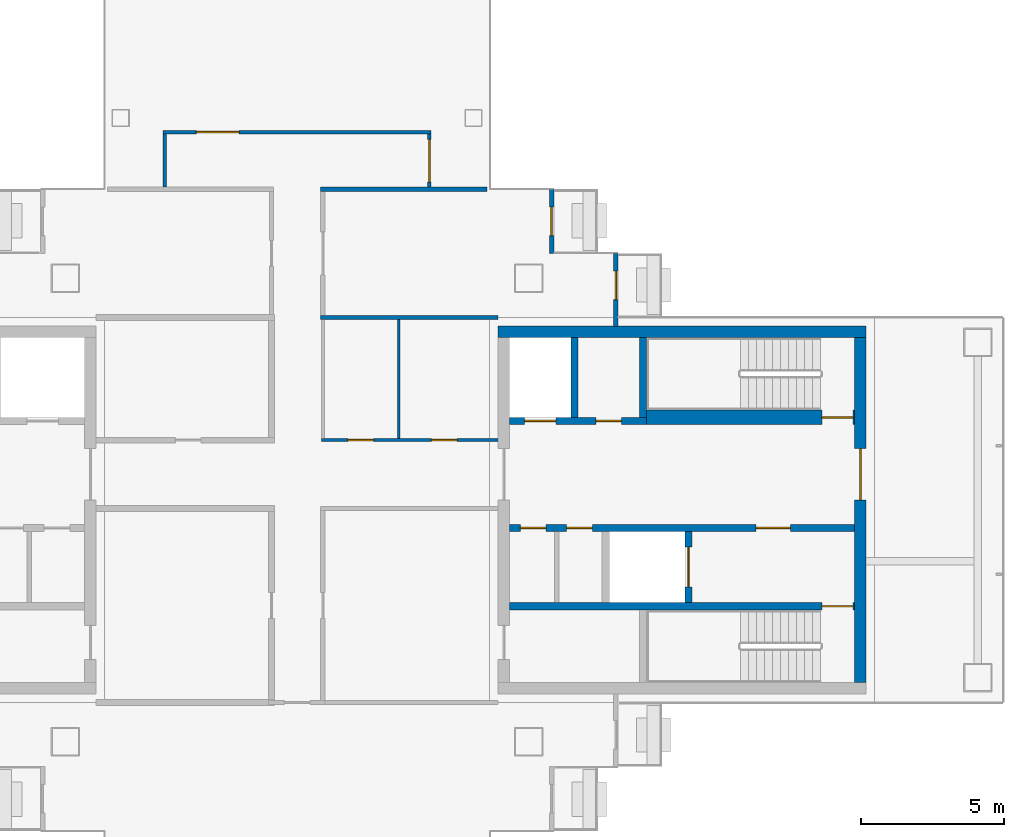
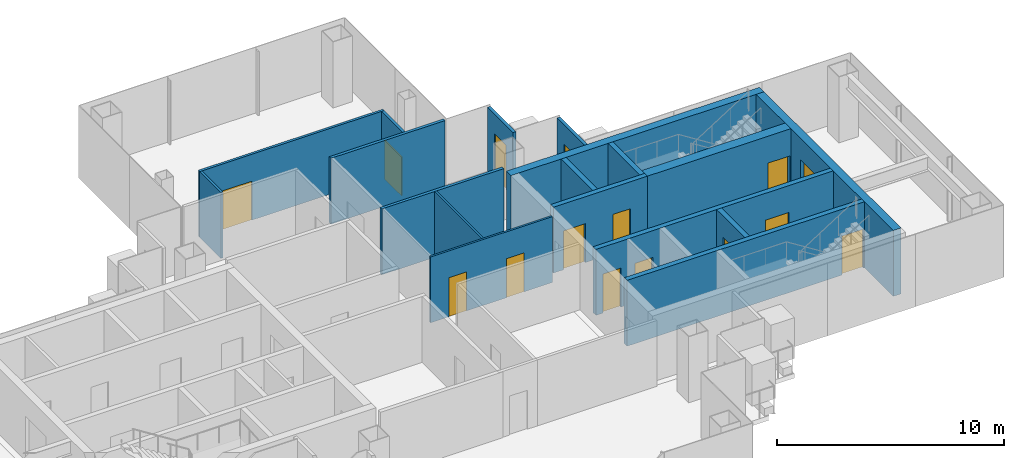
# One storey, part 12 of 17: 18 walls, 15 doors, 15 openings.
"""IFC4 building model written with IfcOpenShell, lengths in metres."""

from ifc_helpers import new_model, si_unit, direction, frame, frame_2d, origin, place, context, subcontext, project, spatial, rectangle, extrude, material, layer, layer_set, type_object, element, fill, save


model = new_model("IFC4")

# Units and contexts
model_context = context("Model", 3, precision=1e-05, world=origin(), true_north=direction((0.0, 1.0)))
body_context = subcontext(model_context, "Body", "Model", "MODEL_VIEW")
ifc_project = project(units=[si_unit("LENGTHUNIT", "METRE"), si_unit("AREAUNIT", "SQUARE_METRE"), si_unit("VOLUMEUNIT", "CUBIC_METRE"), si_unit("PLANEANGLEUNIT", "RADIAN"), si_unit("MASSUNIT", "GRAM", prefix="KILO")], contexts=[model_context])

# Site, building, storey
site_placement = place(None, origin())
site = spatial("IfcSite", under=ifc_project, at=site_placement, CompositionType="ELEMENT")
building_placement = place(site_placement, origin())
building = spatial("IfcBuilding", under=site, at=building_placement, Name="Shamsa Quay Exchange Towers", CompositionType="ELEMENT")
storey_placement = place(building_placement, frame((0.0, 0.0, 198.300048828125)))
storey = spatial("IfcBuildingStorey", under=building, at=storey_placement, Name="L47", CompositionType="ELEMENT", Elevation=198.300048828125)

# Wall, opening, door
ifc_material_1 = material(Name="Aluminium EN AW-6063 T6, black anodised, with black enamelled glass infill", Category="aluminium")
ifc_layer_1 = layer(ifc_material_1, 0.14990234375)
ifc_layer_set_1 = layer_set([ifc_layer_1], Name="BALCONY DOOR BAY WALL 150")
wall_type_1 = type_object("IfcWallType", Name="BALCONY DOOR BAY WALL 150", PredefinedType="SOLIDWALL", material=ifc_layer_set_1)
wall_1_placement = place(storey_placement, frame((42.675048828125, 11.25, 0.0), z_axis=(0.0, 0.0, 1.0), x_axis=(0.0, -1.0, 0.0)))
wall_1 = element("IfcWall", 1, at=wall_1_placement, inside=storey, type_object=wall_type_1, Name="Door bay T2-PKES L47", PredefinedType="SOLIDWALL", context=body_context, shape_type="SweptSolid", body=[
    extrude(rectangle(XDim=2.25, YDim=0.14990234375, at=frame_2d((1.125, 0.0))), origin(), (0.0, 0.0, 1.0), 3.449951171875),
])
opening_1_placement = place(wall_1_placement, frame((0.625, 0.0, 0.0)))
opening_1 = element("IfcOpeningElement", 2, at=opening_1_placement, cuts=wall_1, Name="Opening XD307", PredefinedType="OPENING", context=body_context, shape_type="SweptSolid", body=[
    extrude(rectangle(XDim=1.0, YDim=2.39990234375, at=frame_2d((0.5, 1.199951171875))), frame((0.0, 0.0849609375, 0.0), z_axis=(0.0, -1.0, 0.0), x_axis=(1.0, 0.0, 0.0)), (0.0, 0.0, 1.0), 0.169921875),
])
ifc_material_2 = material(Name="Aluminium EN AW-6063 T6, black anodised, with laminated glass leaf", Category="aluminium")
door_type_1 = type_object("IfcDoorType", Name="BALCONY DOOR 1000x2400", OperationType="SINGLE_SWING_LEFT", PredefinedType="DOOR", material=ifc_material_2)
door_1_placement = place(opening_1_placement, origin())
door_1 = element("IfcDoor", 3, at=door_1_placement, inside=storey, type_object=door_type_1, Name="Balcony door T2-PKES L47", OperationType="SINGLE_SWING_RIGHT", OverallHeight=2.39990234375, OverallWidth=1.0, PredefinedType="DOOR", context=body_context, shape_type="SweptSolid", body=[
    extrude(rectangle(XDim=1.0, YDim=2.39990234375, at=frame_2d((0.5, 1.199951171875))), frame((0.0, 0.02490234375, 0.0), z_axis=(0.0, -1.0, 0.0), x_axis=(1.0, 0.0, 0.0)), (0.0, 0.0, 1.0), 0.050048828125),
])
fill(opening_1, door_1)

wall_2_placement = place(storey_placement, frame((44.925048828125, 9.0, 0.0), z_axis=(0.0, 0.0, 1.0), x_axis=(0.0, -1.0, 0.0)))
wall_2 = element("IfcWall", 4, at=wall_2_placement, inside=storey, type_object=wall_type_1, Name="Door bay T2-PKES L47", PredefinedType="SOLIDWALL", context=body_context, shape_type="SweptSolid", body=[
    extrude(rectangle(XDim=2.556884765625, YDim=0.14990234375, at=frame_2d((1.2783203125, 0.0))), origin(), (0.0, 0.0, 1.0), 3.449951171875),
])
opening_2_placement = place(wall_2_placement, frame((0.625, 0.0, 0.0)))
opening_2 = element("IfcOpeningElement", 5, at=opening_2_placement, cuts=wall_2, Name="Opening XD308", PredefinedType="OPENING", context=body_context, shape_type="SweptSolid", body=[
    extrude(rectangle(XDim=1.0, YDim=2.39990234375, at=frame_2d((0.5, 1.199951171875))), frame((0.0, 0.0849609375, 0.0), z_axis=(0.0, -1.0, 0.0), x_axis=(1.0, 0.0, 0.0)), (0.0, 0.0, 1.0), 0.169921875),
])
door_2_placement = place(opening_2_placement, origin())
door_2 = element("IfcDoor", 6, at=door_2_placement, inside=storey, type_object=door_type_1, Name="Balcony door T2-PKES L47", OperationType="SINGLE_SWING_LEFT", OverallHeight=2.39990234375, OverallWidth=1.0, PredefinedType="DOOR", context=body_context, shape_type="SweptSolid", body=[
    extrude(rectangle(XDim=1.0, YDim=2.39990234375, at=frame_2d((0.5, 1.199951171875))), frame((0.0, 0.02490234375, 0.0), z_axis=(0.0, -1.0, 0.0), x_axis=(1.0, 0.0, 0.0)), (0.0, 0.0, 1.0), 0.050048828125),
])
fill(opening_2, door_2)

# Wall
ifc_material_3 = material(Name="Concrete C60/75", Category="concrete")
ifc_layer_2 = layer(ifc_material_3, 0.39990234375)
ifc_layer_set_2 = layer_set([ifc_layer_2], Name="CORE WALL 400 C60/75")
wall_type_2 = type_object("IfcWallType", Name="CORE WALL 400 C60/75", PredefinedType="SHEAR", material=ifc_layer_set_2)
wall_3_placement = place(storey_placement, frame((53.699951171875, 6.25, 0.0), z_axis=(0.0, 0.0, 1.0), x_axis=(-1.0, 0.0, 0.0)))
element("IfcWall", 7, at=wall_3_placement, inside=storey, type_object=wall_type_2, Name="Core wall T2B-R21-PN", PredefinedType="SHEAR", context=body_context, shape_type="SweptSolid", body=[
    extrude(rectangle(XDim=12.89990234375, YDim=0.39990234375, at=frame_2d((6.449951171875, 0.0))), origin(), (0.0, 0.0, 1.0), 3.550048828125),
])

# Wall, opening, door
wall_4_placement = place(storey_placement, frame((53.5, -6.050048828125, 0.0), z_axis=(0.0, 0.0, 1.0), x_axis=(0.0, 1.0, 0.0)))
wall_4 = element("IfcWall", 8, at=wall_4_placement, inside=storey, type_object=wall_type_2, Name="Core wall T2B-R21-PF", PredefinedType="SHEAR", context=body_context, shape_type="SweptSolid", body=[
    extrude(rectangle(XDim=12.10009765625, YDim=0.39990234375, at=frame_2d((6.050048828125, 0.0))), origin(), (0.0, 0.0, 1.0), 3.550048828125),
])
opening_3_placement = place(wall_4_placement, frame((6.39990234375, 0.0, 0.0)))
opening_3 = element("IfcOpeningElement", 9, at=opening_3_placement, cuts=wall_4, Name="Opening T2B-R21-LBD01", PredefinedType="OPENING", context=body_context, shape_type="SweptSolid", body=[
    extrude(rectangle(XDim=1.800048828125, YDim=2.39990234375, at=frame_2d((0.89990234375, 1.199951171875))), frame((0.0, 0.2099609375, 0.0), z_axis=(0.0, -1.0, 0.0), x_axis=(1.0, 0.0, 0.0)), (0.0, 0.0, 1.0), 0.419921875),
])
ifc_material_4 = material(Name="Steel, fire rated", Category="steel")
door_type_2 = type_object("IfcDoorType", Name="LIFT LOBBY DOOR PAIR 1800", OperationType="DOUBLE_DOOR_SINGLE_SWING", PredefinedType="DOOR", material=ifc_material_4)
door_3_placement = place(opening_3_placement, origin())
door_3 = element("IfcDoor", 10, at=door_3_placement, inside=storey, type_object=door_type_2, Name="T2B-R21-LBD01", OperationType="DOUBLE_DOOR_SINGLE_SWING", OverallHeight=2.39990234375, OverallWidth=1.800048828125, PredefinedType="DOOR", context=body_context, shape_type="SweptSolid", body=[
    extrude(rectangle(XDim=1.800048828125, YDim=2.39990234375, at=frame_2d((0.89990234375, 1.199951171875))), frame((0.0, 0.02490234375, 0.0), z_axis=(0.0, -1.0, 0.0), x_axis=(1.0, 0.0, 0.0)), (0.0, 0.0, 1.0), 0.050048828125),
])
fill(opening_3, door_3)

ifc_material_5 = material(Name="Laminated fire-resisting glass in a metal frame", Category="glass")
ifc_layer_3 = layer(ifc_material_5, 0.125)
ifc_layer_set_3 = layer_set([ifc_layer_3], Name="Glazed partition 125 mm EI 60")
wall_type_3 = type_object("IfcWallType", Name="Glazed partition 125 mm EI 60", PredefinedType="PARTITIONING", material=ifc_layer_set_3)
wall_5_placement = place(storey_placement, frame((38.3876953125, 11.324951171875, 0.0), z_axis=(0.0, 0.0, 1.0), x_axis=(0.0, 1.0, 0.0)))
wall_5 = element("IfcWall", 11, at=wall_5_placement, inside=storey, type_object=wall_type_3, Name="Partition T2-R21-W13", PredefinedType="PARTITIONING", context=body_context, shape_type="SweptSolid", body=[
    extrude(rectangle(XDim=1.862548828125, YDim=0.125, at=frame_2d((0.93115234375, 0.0))), origin(), (0.0, 0.0, 1.0), 3.550048828125),
])
opening_4_placement = place(wall_5_placement, frame((0.175048828125, 0.0, 0.0)))
opening_4 = element("IfcOpeningElement", 12, at=opening_4_placement, cuts=wall_5, Name="Opening T2-R21-D03", PredefinedType="OPENING", context=body_context, shape_type="SweptSolid", body=[
    extrude(rectangle(XDim=1.5, YDim=2.10009765625, at=frame_2d((0.75, 1.050048828125))), frame((0.0, 0.072509765625, 0.0), z_axis=(0.0, -1.0, 0.0), x_axis=(1.0, 0.0, 0.0)), (0.0, 0.0, 1.0), 0.14501953125),
])
ifc_material_6 = material(Name="Timber door leaf in a metal frame", Category="wood")
door_type_3 = type_object("IfcDoorType", Name="Door 1500x2100 FD30S pair", OperationType="NOTDEFINED", PredefinedType="DOOR", material=ifc_material_6)
door_4_placement = place(opening_4_placement, origin())
door_4 = element("IfcDoor", 13, at=door_4_placement, inside=storey, type_object=door_type_3, Name="Door T2-R21-D03", OperationType="DOUBLE_DOOR_SINGLE_SWING", OverallHeight=2.10009765625, OverallWidth=1.5, PredefinedType="DOOR", context=body_context, shape_type="SweptSolid", body=[
    extrude(rectangle(XDim=1.5, YDim=2.10009765625, at=frame_2d((0.75, 1.050048828125))), frame((0.0, 0.02490234375, 0.0), z_axis=(0.0, -1.0, 0.0), x_axis=(1.0, 0.0, 0.0)), (0.0, 0.0, 1.0), 0.050048828125),
])
fill(opening_4, door_4)

wall_6_placement = place(storey_placement, frame((38.4501953125, 13.25, 0.0), z_axis=(0.0, 0.0, 1.0), x_axis=(-1.0, 0.0, 0.0)))
wall_6 = element("IfcWall", 14, at=wall_6_placement, inside=storey, type_object=wall_type_3, Name="Partition T2-R21-W14", PredefinedType="PARTITIONING", context=body_context, shape_type="SweptSolid", body=[
    extrude(rectangle(XDim=9.400390625, YDim=0.125, at=frame_2d((4.7001953125, 0.0))), origin(), (0.0, 0.0, 1.0), 3.550048828125),
])
opening_5_placement = place(wall_6_placement, frame((6.73291015625, 0.0, 0.0)))
opening_5 = element("IfcOpeningElement", 15, at=opening_5_placement, cuts=wall_6, Name="Opening T2-R21-D10", PredefinedType="OPENING", context=body_context, shape_type="SweptSolid", body=[
    extrude(rectangle(XDim=1.5, YDim=2.10009765625, at=frame_2d((0.75, 1.050048828125))), frame((0.0, 0.072509765625, 0.0), z_axis=(0.0, -1.0, 0.0), x_axis=(1.0, 0.0, 0.0)), (0.0, 0.0, 1.0), 0.14501953125),
])
door_5_placement = place(opening_5_placement, origin())
door_5 = element("IfcDoor", 16, at=door_5_placement, inside=storey, type_object=door_type_3, Name="Door T2-R21-D10", OperationType="DOUBLE_DOOR_SINGLE_SWING", OverallHeight=2.10009765625, OverallWidth=1.5, PredefinedType="DOOR", context=body_context, shape_type="SweptSolid", body=[
    extrude(rectangle(XDim=1.5, YDim=2.10009765625, at=frame_2d((0.75, 1.050048828125))), frame((0.0, 0.02490234375, 0.0), z_axis=(0.0, -1.0, 0.0), x_axis=(1.0, 0.0, 0.0)), (0.0, 0.0, 1.0), 0.050048828125),
])
fill(opening_5, door_5)

# Wall
wall_7_placement = place(storey_placement, frame((29.1123046875, 13.1875, 0.0), z_axis=(0.0, 0.0, 1.0), x_axis=(0.0, -1.0, 0.0)))
element("IfcWall", 17, at=wall_7_placement, inside=storey, type_object=wall_type_3, Name="Partition T2-R21-W15", PredefinedType="PARTITIONING", context=body_context, shape_type="SweptSolid", body=[
    extrude(rectangle(XDim=1.862548828125, YDim=0.125, at=frame_2d((0.93115234375, 0.0))), origin(), (0.0, 0.0, 1.0), 3.550048828125),
])

# Wall, openings, doors
ifc_material_7 = material(Name="Gypsum board partition on metal studs")
ifc_layer_4 = layer(ifc_material_7, 0.10009765625)
ifc_layer_set_4 = layer_set([ifc_layer_4], Name="Partition 100 mm NOT RATED")
wall_type_4 = type_object("IfcWallType", Name="Partition 100 mm NOT RATED", PredefinedType="PARTITIONING", material=ifc_layer_set_4)
wall_8_placement = place(storey_placement, frame((34.600341796875, 2.4501953125, 0.0)))
wall_8 = element("IfcWall", 18, at=wall_8_placement, inside=storey, type_object=wall_type_4, Name="Partition T2-R21-W05", PredefinedType="PARTITIONING", context=body_context, shape_type="SweptSolid", body=[
    extrude(rectangle(XDim=6.19970703125, YDim=0.10009765625, at=frame_2d((3.099853515625, 0.0))), origin(), (0.0, 0.0, 1.0), 3.550048828125),
])
opening_6_placement = place(wall_8_placement, frame((3.85595703125, 0.0, 0.0)))
opening_6 = element("IfcOpeningElement", 19, at=opening_6_placement, cuts=wall_8, Name="Opening T2-R21-D01", PredefinedType="OPENING", context=body_context, shape_type="SweptSolid", body=[
    extrude(rectangle(XDim=0.89990234375, YDim=2.10009765625, at=frame_2d((0.449951171875, 1.050048828125))), frame((0.0, 0.06005859375, 0.0), z_axis=(0.0, -1.0, 0.0), x_axis=(1.0, 0.0, 0.0)), (0.0, 0.0, 1.0), 0.1201171875),
])
opening_7_placement = place(wall_8_placement, frame((0.93115234375, 0.0, 0.0)))
opening_7 = element("IfcOpeningElement", 20, at=opening_7_placement, cuts=wall_8, Name="Opening T2-R21-D02", PredefinedType="OPENING", context=body_context, shape_type="SweptSolid", body=[
    extrude(rectangle(XDim=0.89990234375, YDim=2.10009765625, at=frame_2d((0.449951171875, 1.050048828125))), frame((0.0, 0.06005859375, 0.0), z_axis=(0.0, -1.0, 0.0), x_axis=(1.0, 0.0, 0.0)), (0.0, 0.0, 1.0), 0.1201171875),
])
door_type_4 = type_object("IfcDoorType", Name="Door 900x2100 NOT RATED", OperationType="NOTDEFINED", PredefinedType="DOOR", material=ifc_material_6)
door_6_placement = place(opening_6_placement, origin())
door_6 = element("IfcDoor", 21, at=door_6_placement, inside=storey, type_object=door_type_4, Name="Door T2-R21-D01", OperationType="SINGLE_SWING_LEFT", OverallHeight=2.10009765625, OverallWidth=0.89990234375, PredefinedType="DOOR", context=body_context, shape_type="SweptSolid", body=[
    extrude(rectangle(XDim=0.89990234375, YDim=2.10009765625, at=frame_2d((0.449951171875, 1.050048828125))), frame((0.0, 0.02490234375, 0.0), z_axis=(0.0, -1.0, 0.0), x_axis=(1.0, 0.0, 0.0)), (0.0, 0.0, 1.0), 0.050048828125),
])
fill(opening_6, door_6)
door_7_placement = place(opening_7_placement, origin())
door_7 = element("IfcDoor", 22, at=door_7_placement, inside=storey, type_object=door_type_4, Name="Door T2-R21-D02", OperationType="SINGLE_SWING_RIGHT", OverallHeight=2.10009765625, OverallWidth=0.89990234375, PredefinedType="DOOR", context=body_context, shape_type="SweptSolid", body=[
    extrude(rectangle(XDim=0.89990234375, YDim=2.10009765625, at=frame_2d((0.449951171875, 1.050048828125))), frame((0.0, 0.02490234375, 0.0), z_axis=(0.0, -1.0, 0.0), x_axis=(1.0, 0.0, 0.0)), (0.0, 0.0, 1.0), 0.050048828125),
])
fill(opening_7, door_7)

# Walls
wall_9_placement = place(storey_placement, frame((37.3125, 6.675048828125, 0.0), z_axis=(0.0, 0.0, 1.0), x_axis=(0.0, -1.0, 0.0)))
element("IfcWall", 23, at=wall_9_placement, inside=storey, type_object=wall_type_4, Name="Partition T2-R21-W19", PredefinedType="PARTITIONING", context=body_context, shape_type="SweptSolid", body=[
    extrude(rectangle(XDim=4.1748046875, YDim=0.10009765625, at=frame_2d((2.08740234375, 0.0))), origin(), (0.0, 0.0, 1.0), 3.550048828125),
])
ifc_layer_5 = layer(ifc_material_7, 0.14990234375)
ifc_layer_set_5 = layer_set([ifc_layer_5], Name="Partition 150 mm EI 60")
wall_type_5 = type_object("IfcWallType", Name="Partition 150 mm EI 60", PredefinedType="PARTITIONING", material=ifc_layer_set_5)
wall_10_placement = place(storey_placement, frame((40.405029296875, 11.25, 0.0), z_axis=(0.0, 0.0, 1.0), x_axis=(-1.0, 0.0, 0.0)))
element("IfcWall", 24, at=wall_10_placement, inside=storey, type_object=wall_type_5, Name="Partition T2-R21-W11", PredefinedType="PARTITIONING", context=body_context, shape_type="SweptSolid", body=[
    extrude(rectangle(XDim=5.82958984375, YDim=0.14990234375, at=frame_2d((2.914794921875, 0.0))), origin(), (0.0, 0.0, 1.0), 3.550048828125),
])
wall_11_placement = place(storey_placement, frame((40.800048828125, 6.75, 0.0), z_axis=(0.0, 0.0, 1.0), x_axis=(-1.0, 0.0, 0.0)))
element("IfcWall", 25, at=wall_11_placement, inside=storey, type_object=wall_type_5, Name="Partition T2-R21-W20", PredefinedType="PARTITIONING", context=body_context, shape_type="SweptSolid", body=[
    extrude(rectangle(XDim=6.224609375, YDim=0.14990234375, at=frame_2d((3.1123046875, 0.0))), origin(), (0.0, 0.0, 1.0), 3.550048828125),
])

# Wall, opening, door
ifc_material_8 = material(Name="Concrete C50/60", Category="concrete")
ifc_layer_6 = layer(ifc_material_8, 0.25)
ifc_layer_set_6 = layer_set([ifc_layer_6], Name="SHAFT WALL 250 C50/60")
wall_type_6 = type_object("IfcWallType", Name="SHAFT WALL 250 C50/60", PredefinedType="SHEAR", material=ifc_layer_set_6)
wall_12_placement = place(storey_placement, frame((53.300048828125, -3.375, 0.0), z_axis=(0.0, 0.0, 1.0), x_axis=(-1.0, 0.0, 0.0)))
wall_12 = element("IfcWall", 26, at=wall_12_placement, inside=storey, type_object=wall_type_6, Name="Shaft wall T2B-R21-STL", PredefinedType="SHEAR", context=body_context, shape_type="SweptSolid", body=[
    extrude(rectangle(XDim=12.10009765625, YDim=0.25, at=frame_2d((6.050048828125, 0.0))), origin(), (0.0, 0.0, 1.0), 3.550048828125),
])
opening_8_placement = place(wall_12_placement, frame((0.050048828125, 0.0, 0.0)))
opening_8 = element("IfcOpeningElement", 27, at=opening_8_placement, cuts=wall_12, Name="Opening T2B-R21-SD04", PredefinedType="OPENING", context=body_context, shape_type="SweptSolid", body=[
    extrude(rectangle(XDim=1.10009765625, YDim=2.10009765625, at=frame_2d((0.550048828125, 1.050048828125))), frame((0.0, 0.135009765625, 0.0), z_axis=(0.0, -1.0, 0.0), x_axis=(1.0, 0.0, 0.0)), (0.0, 0.0, 1.0), 0.27001953125),
])
door_type_5 = type_object("IfcDoorType", Name="STAIR DOOR 1100", OperationType="SINGLE_SWING_LEFT", PredefinedType="DOOR", material=ifc_material_4)
door_8_placement = place(opening_8_placement, origin())
door_8 = element("IfcDoor", 28, at=door_8_placement, inside=storey, type_object=door_type_5, Name="T2B-R21-SD04", OperationType="SINGLE_SWING_LEFT", OverallHeight=2.10009765625, OverallWidth=1.10009765625, PredefinedType="DOOR", context=body_context, shape_type="SweptSolid", body=[
    extrude(rectangle(XDim=1.10009765625, YDim=2.10009765625, at=frame_2d((0.550048828125, 1.050048828125))), frame((0.0, 0.02490234375, 0.0), z_axis=(0.0, -1.0, 0.0), x_axis=(1.0, 0.0, 0.0)), (0.0, 0.0, 1.0), 0.050048828125),
])
fill(opening_8, door_8)

# Wall, openings, doors
wall_13_placement = place(storey_placement, frame((53.300048828125, -0.625, 0.0), z_axis=(0.0, 0.0, 1.0), x_axis=(-1.0, 0.0, 0.0)))
wall_13 = element("IfcWall", 29, at=wall_13_placement, inside=storey, type_object=wall_type_6, Name="Shaft wall T2B-R21-B", PredefinedType="SHEAR", context=body_context, shape_type="SweptSolid", body=[
    extrude(rectangle(XDim=12.10009765625, YDim=0.25, at=frame_2d((6.050048828125, 0.0))), origin(), (0.0, 0.0, 1.0), 3.550048828125),
])
opening_9_placement = place(wall_13_placement, frame((2.25, 0.0, 0.0)))
opening_9 = element("IfcOpeningElement", 30, at=opening_9_placement, cuts=wall_13, Name="Opening T2B-R21-FD05", PredefinedType="OPENING", context=body_context, shape_type="SweptSolid", body=[
    extrude(rectangle(XDim=1.199951171875, YDim=2.10009765625, at=frame_2d((0.60009765625, 1.050048828125))), frame((0.0, 0.135009765625, 0.0), z_axis=(0.0, -1.0, 0.0), x_axis=(1.0, 0.0, 0.0)), (0.0, 0.0, 1.0), 0.27001953125),
])
opening_10_placement = place(wall_13_placement, frame((9.199951171875, 0.0, 0.0)))
opening_10 = element("IfcOpeningElement", 31, at=opening_10_placement, cuts=wall_13, Name="Opening T2B-R21-SV06", PredefinedType="OPENING", context=body_context, shape_type="SweptSolid", body=[
    extrude(rectangle(XDim=0.89990234375, YDim=2.10009765625, at=frame_2d((0.449951171875, 1.050048828125))), frame((0.0, 0.135009765625, 0.0), z_axis=(0.0, -1.0, 0.0), x_axis=(1.0, 0.0, 0.0)), (0.0, 0.0, 1.0), 0.27001953125),
])
opening_11_placement = place(wall_13_placement, frame((10.824951171875, 0.0, 0.0)))
opening_11 = element("IfcOpeningElement", 32, at=opening_11_placement, cuts=wall_13, Name="Opening T2B-R21-SV07", PredefinedType="OPENING", context=body_context, shape_type="SweptSolid", body=[
    extrude(rectangle(XDim=0.89990234375, YDim=2.10009765625, at=frame_2d((0.449951171875, 1.050048828125))), frame((0.0, 0.135009765625, 0.0), z_axis=(0.0, -1.0, 0.0), x_axis=(1.0, 0.0, 0.0)), (0.0, 0.0, 1.0), 0.27001953125),
])
door_type_6 = type_object("IfcDoorType", Name="FIRE SERVICE LOBBY DOOR 1200", OperationType="SINGLE_SWING_LEFT", PredefinedType="DOOR", material=ifc_material_4)
door_9_placement = place(opening_9_placement, origin())
door_9 = element("IfcDoor", 33, at=door_9_placement, inside=storey, type_object=door_type_6, Name="T2B-R21-FD05", OperationType="SINGLE_SWING_LEFT", OverallHeight=2.10009765625, OverallWidth=1.199951171875, PredefinedType="DOOR", context=body_context, shape_type="SweptSolid", body=[
    extrude(rectangle(XDim=1.199951171875, YDim=2.10009765625, at=frame_2d((0.60009765625, 1.050048828125))), frame((0.0, 0.02490234375, 0.0), z_axis=(0.0, -1.0, 0.0), x_axis=(1.0, 0.0, 0.0)), (0.0, 0.0, 1.0), 0.050048828125),
])
fill(opening_9, door_9)
door_type_7 = type_object("IfcDoorType", Name="SERVICE ROOM DOOR 900", OperationType="SINGLE_SWING_LEFT", PredefinedType="DOOR", material=ifc_material_4)
door_10_placement = place(opening_10_placement, origin())
door_10 = element("IfcDoor", 34, at=door_10_placement, inside=storey, type_object=door_type_7, Name="T2B-R21-SV06", OperationType="SINGLE_SWING_RIGHT", OverallHeight=2.10009765625, OverallWidth=0.89990234375, PredefinedType="DOOR", context=body_context, shape_type="SweptSolid", body=[
    extrude(rectangle(XDim=0.89990234375, YDim=2.10009765625, at=frame_2d((0.449951171875, 1.050048828125))), frame((0.0, 0.02490234375, 0.0), z_axis=(0.0, -1.0, 0.0), x_axis=(1.0, 0.0, 0.0)), (0.0, 0.0, 1.0), 0.050048828125),
])
fill(opening_10, door_10)
door_11_placement = place(opening_11_placement, origin())
door_11 = element("IfcDoor", 35, at=door_11_placement, inside=storey, type_object=door_type_7, Name="T2B-R21-SV07", OperationType="SINGLE_SWING_RIGHT", OverallHeight=2.10009765625, OverallWidth=0.89990234375, PredefinedType="DOOR", context=body_context, shape_type="SweptSolid", body=[
    extrude(rectangle(XDim=0.89990234375, YDim=2.10009765625, at=frame_2d((0.449951171875, 1.050048828125))), frame((0.0, 0.02490234375, 0.0), z_axis=(0.0, -1.0, 0.0), x_axis=(1.0, 0.0, 0.0)), (0.0, 0.0, 1.0), 0.050048828125),
])
fill(opening_11, door_11)

# Wall, opening, door
wall_14_placement = place(storey_placement, frame((47.47509765625, -3.25, 0.0), z_axis=(0.0, 0.0, 1.0), x_axis=(0.0, 1.0, 0.0)))
wall_14 = element("IfcWall", 36, at=wall_14_placement, inside=storey, type_object=wall_type_6, Name="Shaft wall T2B-R21-FFF", PredefinedType="SHEAR", context=body_context, shape_type="SweptSolid", body=[
    extrude(rectangle(XDim=2.5, YDim=0.25, at=frame_2d((1.25, 0.0))), origin(), (0.0, 0.0, 1.0), 3.550048828125),
])
opening_12_placement = place(wall_14_placement, frame((0.550048828125, 0.0, 0.0)))
opening_12 = element("IfcOpeningElement", 37, at=opening_12_placement, cuts=wall_14, Name="Opening T2B-R21-LDG08", PredefinedType="OPENING", context=body_context, shape_type="SweptSolid", body=[
    extrude(rectangle(XDim=1.39990234375, YDim=2.39990234375, at=frame_2d((0.699951171875, 1.199951171875))), frame((0.0, 0.135009765625, 0.0), z_axis=(0.0, -1.0, 0.0), x_axis=(1.0, 0.0, 0.0)), (0.0, 0.0, 1.0), 0.27001953125),
])
door_type_8 = type_object("IfcDoorType", Name="GOODS LIFT LANDING DOOR 1400", OperationType="SLIDING_TO_LEFT", PredefinedType="DOOR", material=ifc_material_4)
door_12_placement = place(opening_12_placement, origin())
door_12 = element("IfcDoor", 38, at=door_12_placement, inside=storey, type_object=door_type_8, Name="T2B-R21-LDG08", OperationType="SLIDING_TO_LEFT", OverallHeight=2.39990234375, OverallWidth=1.39990234375, PredefinedType="DOOR", context=body_context, shape_type="SweptSolid", body=[
    extrude(rectangle(XDim=1.39990234375, YDim=2.39990234375, at=frame_2d((0.699951171875, 1.199951171875))), frame((0.0, 0.02490234375, 0.0), z_axis=(0.0, -1.0, 0.0), x_axis=(1.0, 0.0, 0.0)), (0.0, 0.0, 1.0), 0.050048828125),
])
fill(opening_12, door_12)

# Wall, openings, doors
wall_15_placement = place(storey_placement, frame((41.199951171875, 3.125, 0.0)))
wall_15 = element("IfcWall", 39, at=wall_15_placement, inside=storey, type_object=wall_type_6, Name="Shaft wall T2B-R21-N2", PredefinedType="SHEAR", context=body_context, shape_type="SweptSolid", body=[
    extrude(rectangle(XDim=4.800048828125, YDim=0.25, at=frame_2d((2.39990234375, 0.0))), origin(), (0.0, 0.0, 1.0), 3.550048828125),
])
opening_13_placement = place(wall_15_placement, frame((0.52490234375, 0.0, 0.0)))
opening_13 = element("IfcOpeningElement", 40, at=opening_13_placement, cuts=wall_15, Name="Opening T2B-R21-LD10", PredefinedType="OPENING", context=body_context, shape_type="SweptSolid", body=[
    extrude(rectangle(XDim=1.10009765625, YDim=2.10009765625, at=frame_2d((0.550048828125, 1.050048828125))), frame((0.0, 0.135009765625, 0.0), z_axis=(0.0, -1.0, 0.0), x_axis=(1.0, 0.0, 0.0)), (0.0, 0.0, 1.0), 0.27001953125),
])
opening_14_placement = place(wall_15_placement, frame((3.02490234375, 0.0, 0.0)))
opening_14 = element("IfcOpeningElement", 41, at=opening_14_placement, cuts=wall_15, Name="Opening T2B-R21-SV11", PredefinedType="OPENING", context=body_context, shape_type="SweptSolid", body=[
    extrude(rectangle(XDim=0.89990234375, YDim=2.10009765625, at=frame_2d((0.449951171875, 1.050048828125))), frame((0.0, 0.135009765625, 0.0), z_axis=(0.0, -1.0, 0.0), x_axis=(1.0, 0.0, 0.0)), (0.0, 0.0, 1.0), 0.27001953125),
])
door_type_9 = type_object("IfcDoorType", Name="LANDING DOOR 1100", OperationType="SLIDING_TO_LEFT", PredefinedType="DOOR", material=ifc_material_4)
door_13_placement = place(opening_13_placement, origin())
door_13 = element("IfcDoor", 42, at=door_13_placement, inside=storey, type_object=door_type_9, Name="T2B-R21-LD10", OperationType="SLIDING_TO_LEFT", OverallHeight=2.10009765625, OverallWidth=1.10009765625, PredefinedType="DOOR", context=body_context, shape_type="SweptSolid", body=[
    extrude(rectangle(XDim=1.10009765625, YDim=2.10009765625, at=frame_2d((0.550048828125, 1.050048828125))), frame((0.0, 0.02490234375, 0.0), z_axis=(0.0, -1.0, 0.0), x_axis=(1.0, 0.0, 0.0)), (0.0, 0.0, 1.0), 0.050048828125),
])
fill(opening_13, door_13)
door_14_placement = place(opening_14_placement, origin())
door_14 = element("IfcDoor", 43, at=door_14_placement, inside=storey, type_object=door_type_7, Name="T2B-R21-SV11", OperationType="SINGLE_SWING_RIGHT", OverallHeight=2.10009765625, OverallWidth=0.89990234375, PredefinedType="DOOR", context=body_context, shape_type="SweptSolid", body=[
    extrude(rectangle(XDim=0.89990234375, YDim=2.10009765625, at=frame_2d((0.449951171875, 1.050048828125))), frame((0.0, 0.02490234375, 0.0), z_axis=(0.0, -1.0, 0.0), x_axis=(1.0, 0.0, 0.0)), (0.0, 0.0, 1.0), 0.050048828125),
])
fill(opening_14, door_14)

# Walls
for number, where, z_axis, x_axis, name in (
    (44, (45.875, 3.25, 0.0), (0.0, 0.0, 1.0), (0.0, 1.0, 0.0), "Shaft wall T2B-R21-STF2"),
    (45, (43.47509765625, 3.25, 0.0), (0.0, 0.0, 1.0), (0.0, 1.0, 0.0), "Shaft wall T2B-R21-D0"),
):
    element("IfcWall", number, at=place(storey_placement, frame(where, z_axis=z_axis, x_axis=x_axis)), inside=storey, type_object=wall_type_6, Name=name, PredefinedType="SHEAR", context=body_context, shape_type="SweptSolid", body=[
        extrude(rectangle(XDim=2.800048828125, YDim=0.25, at=frame_2d((1.39990234375, 0.0))), origin(), (0.0, 0.0, 1.0), 3.550048828125),
    ])

# Wall, opening, door
ifc_layer_7 = layer(ifc_material_8, 0.5)
ifc_layer_set_7 = layer_set([ifc_layer_7], Name="SHAFT WALL 500 C50/60")
wall_type_7 = type_object("IfcWallType", Name="SHAFT WALL 500 C50/60", PredefinedType="SHEAR", material=ifc_layer_set_7)
wall_16_placement = place(storey_placement, frame((46.0, 3.25, 0.0)))
wall_16 = element("IfcWall", 46, at=wall_16_placement, inside=storey, type_object=wall_type_7, Name="Shaft wall T2B-R21-N", PredefinedType="SHEAR", context=body_context, shape_type="SweptSolid", body=[
    extrude(rectangle(XDim=7.300048828125, YDim=0.5, at=frame_2d((3.64990234375, 0.0))), origin(), (0.0, 0.0, 1.0), 3.550048828125),
])
opening_15_placement = place(wall_16_placement, frame((6.14990234375, 0.0, 0.0)))
opening_15 = element("IfcOpeningElement", 47, at=opening_15_placement, cuts=wall_16, Name="Opening T2B-R21-SD09", PredefinedType="OPENING", context=body_context, shape_type="SweptSolid", body=[
    extrude(rectangle(XDim=1.10009765625, YDim=2.10009765625, at=frame_2d((0.550048828125, 1.050048828125))), frame((0.0, 0.260009765625, 0.0), z_axis=(0.0, -1.0, 0.0), x_axis=(1.0, 0.0, 0.0)), (0.0, 0.0, 1.0), 0.52001953125),
])
door_15_placement = place(opening_15_placement, origin())
door_15 = element("IfcDoor", 48, at=door_15_placement, inside=storey, type_object=door_type_5, Name="T2B-R21-SD09", OperationType="SINGLE_SWING_RIGHT", OverallHeight=2.10009765625, OverallWidth=1.10009765625, PredefinedType="DOOR", context=body_context, shape_type="SweptSolid", body=[
    extrude(rectangle(XDim=1.10009765625, YDim=2.10009765625, at=frame_2d((0.550048828125, 1.050048828125))), frame((0.0, 0.02490234375, 0.0), z_axis=(0.0, -1.0, 0.0), x_axis=(1.0, 0.0, 0.0)), (0.0, 0.0, 1.0), 0.050048828125),
])
fill(opening_15, door_15)

save(model, "model.ifc")
